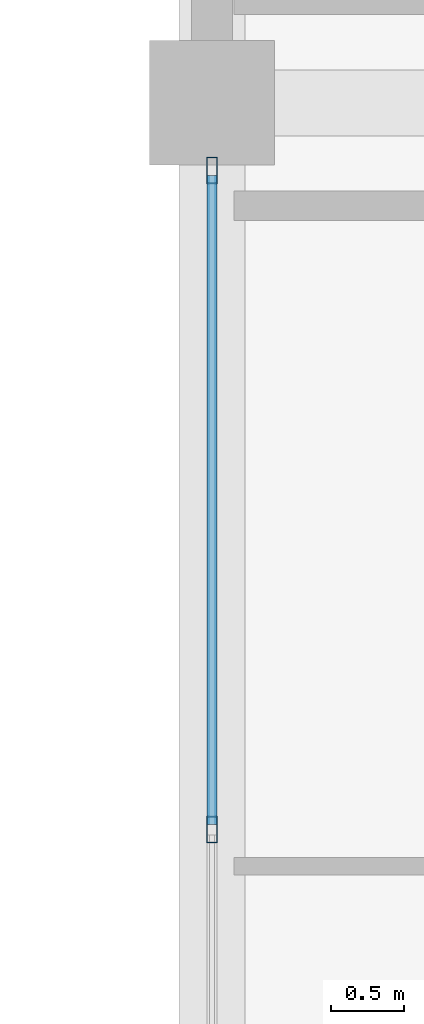
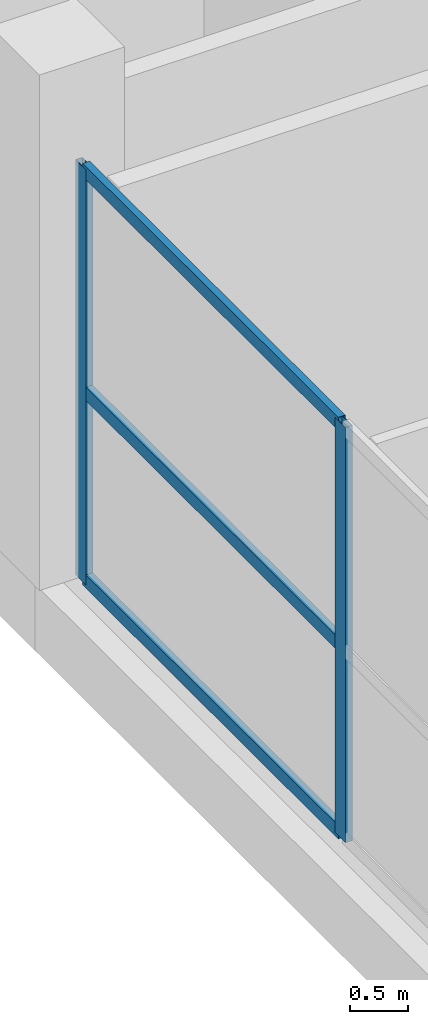
# One storey, part 20 of 72: 5 members, 1 element without a shape of its own.
"""IFC4 building model written with IfcOpenShell, lengths in metres."""

from ifc_helpers import new_model, si_unit, direction, frame, origin, origin_2d, place, context, subcontext, project, spatial, hollow_rectangle, extrude, material, layer, layer_set, material_profile, profile_set, type_object, element, aggregate, save


model = new_model("IFC4")

# Units and contexts
model_context = context("Model", 3, precision=1e-05, world=origin(), true_north=direction((0.0, 1.0)))
body_context = subcontext(model_context, "Body", "Model", "MODEL_VIEW")
ifc_project = project(units=[si_unit("LENGTHUNIT", "METRE"), si_unit("AREAUNIT", "SQUARE_METRE"), si_unit("VOLUMEUNIT", "CUBIC_METRE"), si_unit("PLANEANGLEUNIT", "RADIAN"), si_unit("MASSUNIT", "GRAM", prefix="KILO")], contexts=[model_context])

# Site, building, storey
site_placement = place(None, origin())
site = spatial("IfcSite", under=ifc_project, at=site_placement, CompositionType="ELEMENT")
building_placement = place(site_placement, origin())
building = spatial("IfcBuilding", under=site, at=building_placement, Name="Sillaruma Civic Art Gallery", CompositionType="ELEMENT")
storey_placement = place(building_placement, frame((0.0, 0.0, 10.8798828125)))
storey = spatial("IfcBuildingStorey", under=building, at=storey_placement, Name="L02", CompositionType="ELEMENT", Elevation=10.8798828125)

# Curtain wall, members
ifc_material = material(Name="Thermally Broken Extruded Aluminium 6063-T6", Category="aluminium")
ifc_layer = layer(ifc_material, 0.179931640625, Name="Thermally Broken Extruded Aluminium 6063-T6")
ifc_layer_set = layer_set([ifc_layer], Name="Thermally Broken Extruded Aluminium 6063-T6")
curtain_wall_type = type_object("IfcCurtainWallType", Name="CW-UNI-06", PredefinedType="NOTDEFINED", material=ifc_layer_set)
curtain_wall_placement = place(storey_placement, origin())
curtain_wall = element("IfcCurtainWall", 1, at=curtain_wall_placement, inside=storey, type_object=curtain_wall_type, Name="Unitised Curtain Wall CW-06 (CW-L02-SPW-5)", PredefinedType="NOTDEFINED")
ifc_material_profile_1 = material_profile(ifc_material, hollow_rectangle(XDim=0.070068359375, YDim=0.179931640625, WallThickness=0.00390625, at=origin_2d()), Name="CWM70x180")
ifc_profile_set_1 = profile_set([ifc_material_profile_1], Name="Thermally Broken Extruded Aluminium 6063-T6")
member_type_1 = type_object("IfcMemberType", Name="MEM-MUL-CWM70x180", PredefinedType="MULLION", material=ifc_profile_set_1)
member_1_placement = place(storey_placement, frame((62.0, 64.35009765625, 0.0), z_axis=(0.0, 0.0, 1.0), x_axis=(-1.0, 0.0, 0.0)))
member_1 = element("IfcMember", 2, at=member_1_placement, type_object=member_type_1, Name="CW-06 mullion 2", PredefinedType="MULLION", context=body_context, shape_type="SweptSolid", body=[
    extrude(hollow_rectangle(XDim=0.070068359375, YDim=0.179931640625, WallThickness=0.00390625, at=origin_2d()), origin(), (0.0, 0.0, 1.0), 4.380126953125),
])
member_2_placement = place(storey_placement, frame((62.0, 68.840087890625, 0.0), z_axis=(0.0, 0.0, 1.0), x_axis=(-1.0, 0.0, 0.0)))
member_2 = element("IfcMember", 3, at=member_2_placement, type_object=member_type_1, Name="CW-06 mullion 3", PredefinedType="MULLION", context=body_context, shape_type="SweptSolid", body=[
    extrude(hollow_rectangle(XDim=0.070068359375, YDim=0.179931640625, WallThickness=0.00390625, at=origin_2d()), origin(), (0.0, 0.0, 1.0), 4.380126953125),
])
ifc_material_profile_2 = material_profile(ifc_material, hollow_rectangle(XDim=0.070068359375, YDim=0.139892578125, WallThickness=0.00390625, at=origin_2d()), Name="CWT70x140")
ifc_profile_set_2 = profile_set([ifc_material_profile_2], Name="Thermally Broken Extruded Aluminium 6063-T6")
member_type_2 = type_object("IfcMemberType", Name="MEM-TRN-CWT70x140", PredefinedType="USERDEFINED", material=ifc_profile_set_2)
member_3_placement = place(storey_placement, frame((62.0, 64.385009765625, 0.03515625), z_axis=(0.0, 1.0, 0.0), x_axis=(-1.0, 0.0, 0.0)))
member_3 = element("IfcMember", 4, at=member_3_placement, type_object=member_type_2, Name="CW-06 transom 2.1", ObjectType="TRANSOM", PredefinedType="USERDEFINED", context=body_context, shape_type="SweptSolid", body=[
    extrude(hollow_rectangle(XDim=0.070068359375, YDim=0.139892578125, WallThickness=0.00390625, at=origin_2d()), origin(), (0.0, 0.0, 1.0), 4.419921875),
])
member_4_placement = place(storey_placement, frame((62.0, 64.385009765625, 2.014892578125), z_axis=(0.0, 1.0, 0.0), x_axis=(-1.0, 0.0, 0.0)))
member_4 = element("IfcMember", 5, at=member_4_placement, type_object=member_type_2, Name="CW-06 transom 2.2", ObjectType="TRANSOM", PredefinedType="USERDEFINED", context=body_context, shape_type="SweptSolid", body=[
    extrude(hollow_rectangle(XDim=0.070068359375, YDim=0.139892578125, WallThickness=0.00390625, at=origin_2d()), origin(), (0.0, 0.0, 1.0), 4.419921875),
])
member_5_placement = place(storey_placement, frame((62.0, 64.385009765625, 4.34521484375), z_axis=(0.0, 1.0, 0.0), x_axis=(-1.0, 0.0, 0.0)))
member_5 = element("IfcMember", 6, at=member_5_placement, type_object=member_type_2, Name="CW-06 transom 2.3", ObjectType="TRANSOM", PredefinedType="USERDEFINED", context=body_context, shape_type="SweptSolid", body=[
    extrude(hollow_rectangle(XDim=0.070068359375, YDim=0.139892578125, WallThickness=0.00390625, at=origin_2d()), origin(), (0.0, 0.0, 1.0), 4.419921875),
])
aggregate(curtain_wall, [member_1, member_2, member_3, member_4, member_5])

save(model, "model.ifc")
